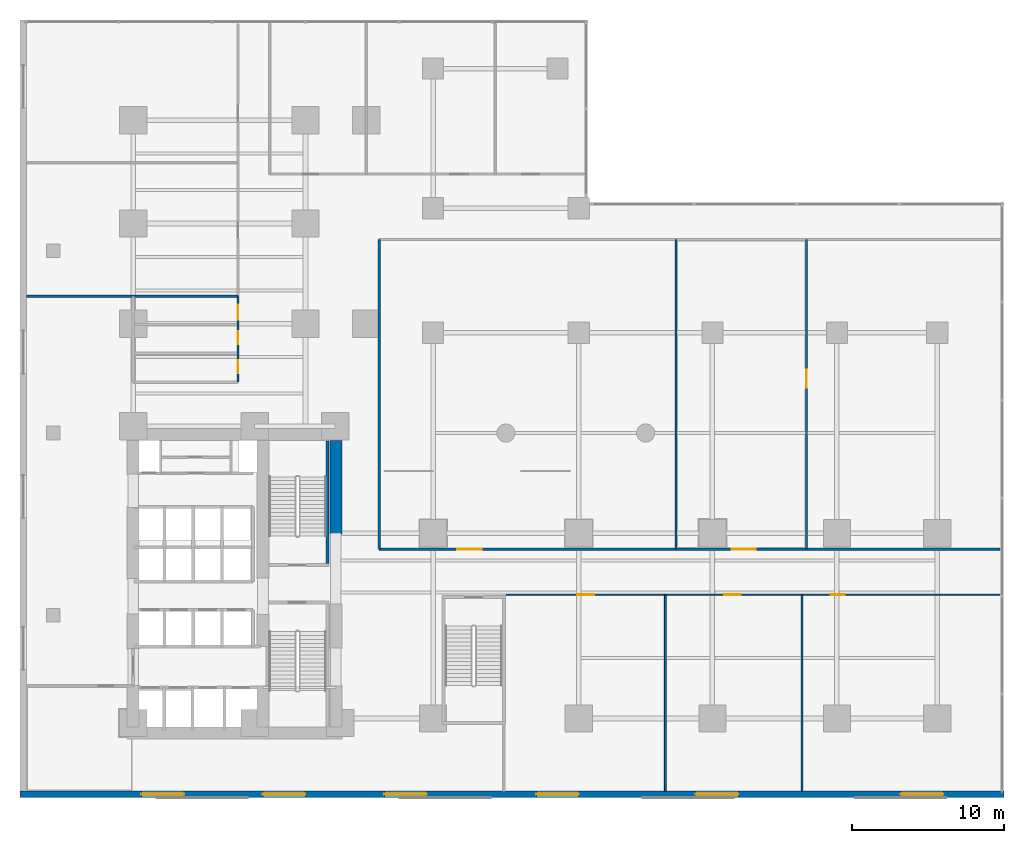
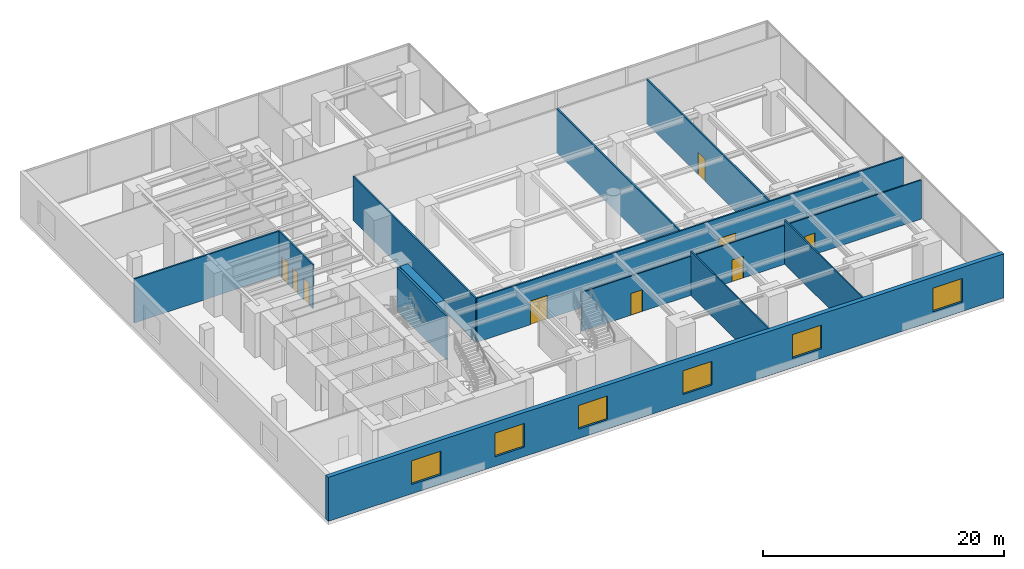
# One storey, part 13 of 16: 12 walls, 9 doors, 6 windows, 15 openings.
"""IFC4 building model written with IfcOpenShell, lengths in metres."""

from ifc_helpers import new_model, si_unit, direction, frame, frame_2d, origin, place, context, subcontext, project, spatial, rectangle, extrude, material, layer, layer_set, type_object, element, fill, save


model = new_model("IFC4")

# Units and contexts
model_context = context("Model", 3, precision=1e-05, world=origin(), true_north=direction((0.0, 1.0)))
body_context = subcontext(model_context, "Body", "Model", "MODEL_VIEW")
ifc_project = project(units=[si_unit("LENGTHUNIT", "METRE"), si_unit("AREAUNIT", "SQUARE_METRE"), si_unit("VOLUMEUNIT", "CUBIC_METRE"), si_unit("PLANEANGLEUNIT", "RADIAN"), si_unit("MASSUNIT", "GRAM", prefix="KILO")], contexts=[model_context])

# Site, building, storey
site_placement = place(None, origin())
site = spatial("IfcSite", under=ifc_project, at=site_placement, CompositionType="ELEMENT")
building_placement = place(site_placement, origin())
building = spatial("IfcBuilding", under=site, at=building_placement, Name="Kolvaren Waterfront Exchange", CompositionType="ELEMENT")
storey_placement = place(building_placement, frame((0.0, 0.0, 20.0)))
storey = spatial("IfcBuildingStorey", under=building, at=storey_placement, Name="L05", CompositionType="ELEMENT", Elevation=20.0)

# Wall, openings, windows
ifc_material_1 = material(Name="Precast concrete C40/50", Category="concrete")
ifc_layer_1 = layer(ifc_material_1, 0.419921875, Name="Precast concrete C40/50")
ifc_layer_set_1 = layer_set([ifc_layer_1], Name="Precast concrete C40/50")
wall_type_1 = type_object("IfcWallType", Name="ARC-EXT-GRANITE-420", PredefinedType="SOLIDWALL", material=ifc_layer_set_1)
wall_1_placement = place(storey_placement, frame((0.0, 0.2099609375, 0.0), z_axis=(0.0, 0.0, 1.0), x_axis=(1.0, 0.0, 0.0)))
wall_1 = element("IfcWall", 1, at=wall_1_placement, inside=storey, type_object=wall_type_1, Name="L05 south granite precast facade wall", PredefinedType="SOLIDWALL", context=body_context, shape_type="SweptSolid", body=[
    extrude(rectangle(XDim=64.800048828125, YDim=0.419921875, at=frame_2d((32.39990234375, 0.0))), origin(), (0.0, 0.0, 1.0), 4.4599609375),
])
opening_1_placement = place(wall_1_placement, frame((8.0, 0.0, 0.949951171875)))
opening_1 = element("IfcOpeningElement", 2, at=opening_1_placement, cuts=wall_1, Name="Opening W05", PredefinedType="OPENING", context=body_context, shape_type="SweptSolid", body=[
    extrude(rectangle(XDim=2.800048828125, YDim=2.39990234375, at=frame_2d((1.39990234375, 1.199951171875))), frame((0.0, 0.219970703125, 0.0), z_axis=(0.0, -1.0, 0.0), x_axis=(1.0, 0.0, 0.0)), (0.0, 0.0, 1.0), 0.43994140625),
])
opening_2_placement = place(wall_1_placement, frame((16.0, 0.0, 0.949951171875)))
opening_2 = element("IfcOpeningElement", 3, at=opening_2_placement, cuts=wall_1, Name="Opening W05", PredefinedType="OPENING", context=body_context, shape_type="SweptSolid", body=[
    extrude(rectangle(XDim=2.800048828125, YDim=2.39990234375, at=frame_2d((1.39990234375, 1.199951171875))), frame((0.0, 0.219970703125, 0.0), z_axis=(0.0, -1.0, 0.0), x_axis=(1.0, 0.0, 0.0)), (0.0, 0.0, 1.0), 0.43994140625),
])
opening_3_placement = place(wall_1_placement, frame((24.0, 0.0, 0.949951171875)))
opening_3 = element("IfcOpeningElement", 4, at=opening_3_placement, cuts=wall_1, Name="Opening W05", PredefinedType="OPENING", context=body_context, shape_type="SweptSolid", body=[
    extrude(rectangle(XDim=2.800048828125, YDim=2.39990234375, at=frame_2d((1.39990234375, 1.199951171875))), frame((0.0, 0.219970703125, 0.0), z_axis=(0.0, -1.0, 0.0), x_axis=(1.0, 0.0, 0.0)), (0.0, 0.0, 1.0), 0.43994140625),
])
opening_4_placement = place(wall_1_placement, frame((34.0, 0.0, 0.949951171875)))
opening_4 = element("IfcOpeningElement", 5, at=opening_4_placement, cuts=wall_1, Name="Opening W05", PredefinedType="OPENING", context=body_context, shape_type="SweptSolid", body=[
    extrude(rectangle(XDim=2.800048828125, YDim=2.39990234375, at=frame_2d((1.39990234375, 1.199951171875))), frame((0.0, 0.219970703125, 0.0), z_axis=(0.0, -1.0, 0.0), x_axis=(1.0, 0.0, 0.0)), (0.0, 0.0, 1.0), 0.43994140625),
])
opening_5_placement = place(wall_1_placement, frame((44.5, 0.0, 0.949951171875)))
opening_5 = element("IfcOpeningElement", 6, at=opening_5_placement, cuts=wall_1, Name="Opening W05", PredefinedType="OPENING", context=body_context, shape_type="SweptSolid", body=[
    extrude(rectangle(XDim=2.800048828125, YDim=2.39990234375, at=frame_2d((1.39990234375, 1.199951171875))), frame((0.0, 0.219970703125, 0.0), z_axis=(0.0, -1.0, 0.0), x_axis=(1.0, 0.0, 0.0)), (0.0, 0.0, 1.0), 0.43994140625),
])
opening_6_placement = place(wall_1_placement, frame((58.0, 0.0, 0.949951171875)))
opening_6 = element("IfcOpeningElement", 7, at=opening_6_placement, cuts=wall_1, Name="Opening W05", PredefinedType="OPENING", context=body_context, shape_type="SweptSolid", body=[
    extrude(rectangle(XDim=2.800048828125, YDim=2.39990234375, at=frame_2d((1.39990234375, 1.199951171875))), frame((0.0, 0.219970703125, 0.0), z_axis=(0.0, -1.0, 0.0), x_axis=(1.0, 0.0, 0.0)), (0.0, 0.0, 1.0), 0.43994140625),
])
ifc_material_2 = material(Name="High-span laminated vision glass", Category="glass")
window_type = type_object("IfcWindowType", Name="ARC-WIN-2800x2400", PartitioningType="SINGLE_PANEL", PredefinedType="WINDOW", material=ifc_material_2)
window_1_placement = place(opening_1_placement, origin())
window_1 = element("IfcWindow", 8, at=window_1_placement, inside=storey, type_object=window_type, Name="L05 south modular window 1", OverallHeight=2.39990234375, OverallWidth=2.800048828125, PartitioningType="SINGLE_PANEL", PredefinedType="WINDOW", context=body_context, shape_type="SweptSolid", body=[
    extrude(rectangle(XDim=2.800048828125, YDim=2.39990234375, at=frame_2d((1.39990234375, 1.199951171875))), frame((0.0, 0.030029296875, 0.0), z_axis=(0.0, -1.0, 0.0), x_axis=(1.0, 0.0, 0.0)), (0.0, 0.0, 1.0), 0.06005859375),
])
fill(opening_1, window_1)
window_2_placement = place(opening_2_placement, origin())
window_2 = element("IfcWindow", 9, at=window_2_placement, inside=storey, type_object=window_type, Name="L05 south modular window 2", OverallHeight=2.39990234375, OverallWidth=2.800048828125, PartitioningType="SINGLE_PANEL", PredefinedType="WINDOW", context=body_context, shape_type="SweptSolid", body=[
    extrude(rectangle(XDim=2.800048828125, YDim=2.39990234375, at=frame_2d((1.39990234375, 1.199951171875))), frame((0.0, 0.030029296875, 0.0), z_axis=(0.0, -1.0, 0.0), x_axis=(1.0, 0.0, 0.0)), (0.0, 0.0, 1.0), 0.06005859375),
])
fill(opening_2, window_2)
window_3_placement = place(opening_3_placement, origin())
window_3 = element("IfcWindow", 10, at=window_3_placement, inside=storey, type_object=window_type, Name="L05 south modular window 3", OverallHeight=2.39990234375, OverallWidth=2.800048828125, PartitioningType="SINGLE_PANEL", PredefinedType="WINDOW", context=body_context, shape_type="SweptSolid", body=[
    extrude(rectangle(XDim=2.800048828125, YDim=2.39990234375, at=frame_2d((1.39990234375, 1.199951171875))), frame((0.0, 0.030029296875, 0.0), z_axis=(0.0, -1.0, 0.0), x_axis=(1.0, 0.0, 0.0)), (0.0, 0.0, 1.0), 0.06005859375),
])
fill(opening_3, window_3)
window_4_placement = place(opening_4_placement, origin())
window_4 = element("IfcWindow", 11, at=window_4_placement, inside=storey, type_object=window_type, Name="L05 south modular window 4", OverallHeight=2.39990234375, OverallWidth=2.800048828125, PartitioningType="SINGLE_PANEL", PredefinedType="WINDOW", context=body_context, shape_type="SweptSolid", body=[
    extrude(rectangle(XDim=2.800048828125, YDim=2.39990234375, at=frame_2d((1.39990234375, 1.199951171875))), frame((0.0, 0.030029296875, 0.0), z_axis=(0.0, -1.0, 0.0), x_axis=(1.0, 0.0, 0.0)), (0.0, 0.0, 1.0), 0.06005859375),
])
fill(opening_4, window_4)
window_5_placement = place(opening_5_placement, origin())
window_5 = element("IfcWindow", 12, at=window_5_placement, inside=storey, type_object=window_type, Name="L05 south modular window 5", OverallHeight=2.39990234375, OverallWidth=2.800048828125, PartitioningType="SINGLE_PANEL", PredefinedType="WINDOW", context=body_context, shape_type="SweptSolid", body=[
    extrude(rectangle(XDim=2.800048828125, YDim=2.39990234375, at=frame_2d((1.39990234375, 1.199951171875))), frame((0.0, 0.030029296875, 0.0), z_axis=(0.0, -1.0, 0.0), x_axis=(1.0, 0.0, 0.0)), (0.0, 0.0, 1.0), 0.06005859375),
])
fill(opening_5, window_5)
window_6_placement = place(opening_6_placement, origin())
window_6 = element("IfcWindow", 13, at=window_6_placement, inside=storey, type_object=window_type, Name="L05 south modular window 6", OverallHeight=2.39990234375, OverallWidth=2.800048828125, PartitioningType="SINGLE_PANEL", PredefinedType="WINDOW", context=body_context, shape_type="SweptSolid", body=[
    extrude(rectangle(XDim=2.800048828125, YDim=2.39990234375, at=frame_2d((1.39990234375, 1.199951171875))), frame((0.0, 0.030029296875, 0.0), z_axis=(0.0, -1.0, 0.0), x_axis=(1.0, 0.0, 0.0)), (0.0, 0.0, 1.0), 0.06005859375),
])
fill(opening_6, window_6)

# Wall, openings, doors
ifc_material_3 = material(Name="Acoustic gypsum steel stud", Category="steel")
ifc_layer_2 = layer(ifc_material_3, 0.125, Name="Acoustic gypsum steel stud")
ifc_layer_set_2 = layer_set([ifc_layer_2], Name="Acoustic gypsum steel stud")
wall_type_2 = type_object("IfcWallType", Name="ARC-PART-125", PredefinedType="PARTITIONING", material=ifc_layer_set_2)
wall_2_placement = place(storey_placement, frame((32.0, 13.35009765625, 0.0), z_axis=(0.0, 0.0, 1.0), x_axis=(1.0, 0.0, 0.0)))
wall_2 = element("IfcWall", 14, at=wall_2_placement, inside=storey, type_object=wall_type_2, Name="L05 interior wall PW-L05-POD-SE-N", PredefinedType="PARTITIONING", context=body_context, shape_type="SweptSolid", body=[
    extrude(rectangle(XDim=32.550048828125, YDim=0.125, at=frame_2d((16.27490234375, 0.0))), origin(), (0.0, 0.0, 1.0), 3.9599609375),
])
opening_7_placement = place(wall_2_placement, frame((4.699951171875, 0.0, 0.0)))
opening_7 = element("IfcOpeningElement", 15, at=opening_7_placement, cuts=wall_2, Name="Opening D04", PredefinedType="OPENING", context=body_context, shape_type="SweptSolid", body=[
    extrude(rectangle(XDim=1.10009765625, YDim=2.199951171875, at=frame_2d((0.550048828125, 1.10009765625))), frame((0.0, 0.072509765625, 0.0), z_axis=(0.0, -1.0, 0.0), x_axis=(1.0, 0.0, 0.0)), (0.0, 0.0, 1.0), 0.14501953125),
])
opening_8_placement = place(wall_2_placement, frame((14.378662109375, 0.0, 0.0)))
opening_8 = element("IfcOpeningElement", 16, at=opening_8_placement, cuts=wall_2, Name="Opening D04", PredefinedType="OPENING", context=body_context, shape_type="SweptSolid", body=[
    extrude(rectangle(XDim=1.10009765625, YDim=2.199951171875, at=frame_2d((0.550048828125, 1.10009765625))), frame((0.0, 0.072509765625, 0.0), z_axis=(0.0, -1.0, 0.0), x_axis=(1.0, 0.0, 0.0)), (0.0, 0.0, 1.0), 0.14501953125),
])
opening_9_placement = place(wall_2_placement, frame((21.375, 0.0, 0.0)))
opening_9 = element("IfcOpeningElement", 17, at=opening_9_placement, cuts=wall_2, Name="Opening D02", PredefinedType="OPENING", context=body_context, shape_type="SweptSolid", body=[
    extrude(rectangle(XDim=0.949951171875, YDim=2.14990234375, at=frame_2d((0.47509765625, 1.074951171875))), frame((0.0, 0.072509765625, 0.0), z_axis=(0.0, -1.0, 0.0), x_axis=(1.0, 0.0, 0.0)), (0.0, 0.0, 1.0), 0.14501953125),
])
ifc_material_4 = material(Name="Anodised bronze framed glass", Category="aluminium")
door_type_1 = type_object("IfcDoorType", Name="ARC-DR-1100", OperationType="NOTDEFINED", PredefinedType="DOOR", material=ifc_material_4)
door_1_placement = place(opening_7_placement, origin())
door_1 = element("IfcDoor", 18, at=door_1_placement, inside=storey, type_object=door_type_1, Name="L05 door DR-L05-PCONF1-D (D04)", OperationType="SINGLE_SWING_LEFT", OverallHeight=2.199951171875, OverallWidth=1.10009765625, PredefinedType="DOOR", context=body_context, shape_type="SweptSolid", body=[
    extrude(rectangle(XDim=1.10009765625, YDim=2.199951171875, at=frame_2d((0.550048828125, 1.10009765625))), frame((0.0, 0.02490234375, 0.0), z_axis=(0.0, -1.0, 0.0), x_axis=(1.0, 0.0, 0.0)), (0.0, 0.0, 1.0), 0.050048828125),
])
fill(opening_7, door_1)
door_2_placement = place(opening_8_placement, origin())
door_2 = element("IfcDoor", 19, at=door_2_placement, inside=storey, type_object=door_type_1, Name="L05 door DR-L05-PCONF2-D (D04)", OperationType="SINGLE_SWING_RIGHT", OverallHeight=2.199951171875, OverallWidth=1.10009765625, PredefinedType="DOOR", context=body_context, shape_type="SweptSolid", body=[
    extrude(rectangle(XDim=1.10009765625, YDim=2.199951171875, at=frame_2d((0.550048828125, 1.10009765625))), frame((0.0, 0.02490234375, 0.0), z_axis=(0.0, -1.0, 0.0), x_axis=(1.0, 0.0, 0.0)), (0.0, 0.0, 1.0), 0.050048828125),
])
fill(opening_8, door_2)
ifc_material_5 = material(Name="Oak veneer acoustic timber", Category="wood")
door_type_2 = type_object("IfcDoorType", Name="ARC-DR-950", OperationType="NOTDEFINED", PredefinedType="DOOR", material=ifc_material_5)
door_3_placement = place(opening_9_placement, origin())
door_3 = element("IfcDoor", 20, at=door_3_placement, inside=storey, type_object=door_type_2, Name="L05 door DR-L05-PPANT-D (D02)", OperationType="SINGLE_SWING_LEFT", OverallHeight=2.14990234375, OverallWidth=0.949951171875, PredefinedType="DOOR", context=body_context, shape_type="SweptSolid", body=[
    extrude(rectangle(XDim=0.949951171875, YDim=2.14990234375, at=frame_2d((0.47509765625, 1.074951171875))), frame((0.0, 0.02490234375, 0.0), z_axis=(0.0, -1.0, 0.0), x_axis=(1.0, 0.0, 0.0)), (0.0, 0.0, 1.0), 0.050048828125),
])
fill(opening_9, door_3)

# Walls
for number, where, z_axis, x_axis, name in (
    (21, (42.5, 0.419921875, 0.0), (0.0, 0.0, 1.0), (0.0, 1.0, 0.0), "L05 interior wall PW-L05-POD-SE-M1"),
    (22, (51.5, 0.419921875, 0.0), (0.0, 0.0, 1.0), (0.0, 1.0, 0.0), "L05 interior wall PW-L05-POD-SE-M2"),
):
    element("IfcWall", number, at=place(storey_placement, frame(where, z_axis=z_axis, x_axis=x_axis)), inside=storey, type_object=wall_type_2, Name=name, PredefinedType="PARTITIONING", context=body_context, shape_type="SweptSolid", body=[
        extrude(rectangle(XDim=12.93017578125, YDim=0.125, at=frame_2d((6.465087890625, 0.0))), origin(), (0.0, 0.0, 1.0), 4.4599609375),
    ])

# Wall, openings, doors
ifc_material_6 = material(Name="Gypsum fireboard steel stud", Category="steel")
ifc_layer_3 = layer(ifc_material_6, 0.14990234375, Name="Gypsum fireboard steel stud")
ifc_layer_set_3 = layer_set([ifc_layer_3], Name="Gypsum fireboard steel stud")
wall_type_3 = type_object("IfcWallType", Name="ARC-PART-150", PredefinedType="PARTITIONING", material=ifc_layer_set_3)
wall_3_placement = place(storey_placement, frame((23.64990234375, 16.35009765625, 0.0), z_axis=(0.0, 0.0, 1.0), x_axis=(1.0, 0.0, 0.0)))
wall_3 = element("IfcWall", 23, at=wall_3_placement, inside=storey, type_object=wall_type_3, Name="L05 interior wall PW-L05-POD-HALL-S", PredefinedType="PARTITIONING", context=body_context, shape_type="SweptSolid", body=[
    extrude(rectangle(XDim=40.900146484375, YDim=0.14990234375, at=frame_2d((20.4501953125, 0.0))), origin(), (0.0, 0.0, 1.0), 4.4599609375),
])
opening_10_placement = place(wall_3_placement, frame((5.14990234375, 0.0, 0.0)))
opening_10 = element("IfcOpeningElement", 24, at=opening_10_placement, cuts=wall_3, Name="Opening D07", PredefinedType="OPENING", context=body_context, shape_type="SweptSolid", body=[
    extrude(rectangle(XDim=1.60009765625, YDim=2.39990234375, at=frame_2d((0.800048828125, 1.199951171875))), frame((0.0, 0.0849609375, 0.0), z_axis=(0.0, -1.0, 0.0), x_axis=(1.0, 0.0, 0.0)), (0.0, 0.0, 1.0), 0.169921875),
])
opening_11_placement = place(wall_3_placement, frame((23.21484375, 0.0, 0.0)))
opening_11 = element("IfcOpeningElement", 25, at=opening_11_placement, cuts=wall_3, Name="Opening D07", PredefinedType="OPENING", context=body_context, shape_type="SweptSolid", body=[
    extrude(rectangle(XDim=1.60009765625, YDim=2.39990234375, at=frame_2d((0.800048828125, 1.199951171875))), frame((0.0, 0.0849609375, 0.0), z_axis=(0.0, -1.0, 0.0), x_axis=(1.0, 0.0, 0.0)), (0.0, 0.0, 1.0), 0.169921875),
])
ifc_material_7 = material(Name="Anodised bronze double leaf", Category="aluminium")
door_type_3 = type_object("IfcDoorType", Name="ARC-DR-1600", OperationType="NOTDEFINED", PredefinedType="DOOR", material=ifc_material_7)
door_4_placement = place(opening_10_placement, origin())
door_4 = element("IfcDoor", 26, at=door_4_placement, inside=storey, type_object=door_type_3, Name="L05 door DR-L05-PM1-D (D07)", OperationType="SINGLE_SWING_RIGHT", OverallHeight=2.39990234375, OverallWidth=1.60009765625, PredefinedType="DOOR", context=body_context, shape_type="SweptSolid", body=[
    extrude(rectangle(XDim=1.60009765625, YDim=2.39990234375, at=frame_2d((0.800048828125, 1.199951171875))), frame((0.0, 0.02490234375, 0.0), z_axis=(0.0, -1.0, 0.0), x_axis=(1.0, 0.0, 0.0)), (0.0, 0.0, 1.0), 0.050048828125),
])
fill(opening_10, door_4)
door_5_placement = place(opening_11_placement, origin())
door_5 = element("IfcDoor", 27, at=door_5_placement, inside=storey, type_object=door_type_3, Name="L05 door DR-L05-PM2-D (D07)", OperationType="SINGLE_SWING_LEFT", OverallHeight=2.39990234375, OverallWidth=1.60009765625, PredefinedType="DOOR", context=body_context, shape_type="SweptSolid", body=[
    extrude(rectangle(XDim=1.60009765625, YDim=2.39990234375, at=frame_2d((0.800048828125, 1.199951171875))), frame((0.0, 0.02490234375, 0.0), z_axis=(0.0, -1.0, 0.0), x_axis=(1.0, 0.0, 0.0)), (0.0, 0.0, 1.0), 0.050048828125),
])
fill(opening_11, door_5)

# Walls
for number, where, z_axis, x_axis, name in (
    (28, (23.64990234375, 16.35009765625, 0.0), (0.0, 0.0, 1.0), (0.0, 1.0, 0.0), "L05 interior wall PW-L05-POD-HALL-W"),
    (29, (43.199951171875, 16.35009765625, 0.0), (0.0, 0.0, 1.0), (0.0, 1.0, 0.0), "L05 interior wall PW-L05-POD-HALL-MID"),
):
    element("IfcWall", number, at=place(storey_placement, frame(where, z_axis=z_axis, x_axis=x_axis)), inside=storey, type_object=wall_type_3, Name=name, PredefinedType="PARTITIONING", context=body_context, shape_type="SweptSolid", body=[
        extrude(rectangle(XDim=20.39990234375, YDim=0.14990234375, at=frame_2d((10.199951171875, 0.0))), origin(), (0.0, 0.0, 1.0), 4.4599609375),
    ])

# Wall, opening, door
wall_4_placement = place(storey_placement, frame((51.800048828125, 16.35009765625, 0.0), z_axis=(0.0, 0.0, 1.0), x_axis=(0.0, 1.0, 0.0)))
wall_4 = element("IfcWall", 30, at=wall_4_placement, inside=storey, type_object=wall_type_3, Name="L05 interior wall PW-L05-POD-HALL-MID2", PredefinedType="PARTITIONING", context=body_context, shape_type="SweptSolid", body=[
    extrude(rectangle(XDim=20.39990234375, YDim=0.14990234375, at=frame_2d((10.199951171875, 0.0))), origin(), (0.0, 0.0, 1.0), 4.4599609375),
])
opening_12_placement = place(wall_4_placement, frame((10.62646484375, 0.0, 0.0)))
opening_12 = element("IfcOpeningElement", 31, at=opening_12_placement, cuts=wall_4, Name="Opening D05", PredefinedType="OPENING", context=body_context, shape_type="SweptSolid", body=[
    extrude(rectangle(XDim=1.199951171875, YDim=2.25, at=frame_2d((0.60009765625, 1.125))), frame((0.0, 0.0849609375, 0.0), z_axis=(0.0, -1.0, 0.0), x_axis=(1.0, 0.0, 0.0)), (0.0, 0.0, 1.0), 0.169921875),
])
door_type_4 = type_object("IfcDoorType", Name="ARC-DR-1200", OperationType="NOTDEFINED", PredefinedType="DOOR", material=ifc_material_4)
door_6_placement = place(opening_12_placement, origin())
door_6 = element("IfcDoor", 32, at=door_6_placement, inside=storey, type_object=door_type_4, Name="L05 door DR-L05-PM3-D (D05)", OperationType="SINGLE_SWING_RIGHT", OverallHeight=2.25, OverallWidth=1.199951171875, PredefinedType="DOOR", context=body_context, shape_type="SweptSolid", body=[
    extrude(rectangle(XDim=1.199951171875, YDim=2.25, at=frame_2d((0.60009765625, 1.125))), frame((0.0, 0.02490234375, 0.0), z_axis=(0.0, -1.0, 0.0), x_axis=(1.0, 0.0, 0.0)), (0.0, 0.0, 1.0), 0.050048828125),
])
fill(opening_12, door_6)

# Wall, openings, doors
ifc_material_8 = material(Name="Moisture-resistant gypsum stud")
ifc_layer_4 = layer(ifc_material_8, 0.14990234375, Name="Moisture-resistant gypsum stud")
ifc_layer_set_4 = layer_set([ifc_layer_4], Name="Moisture-resistant gypsum stud")
wall_type_4 = type_object("IfcWallType", Name="ARC-PLUMB-150", PredefinedType="PLUMBINGWALL", material=ifc_layer_set_4)
wall_5_placement = place(storey_placement, frame((14.35009765625, 27.35009765625, 0.0), z_axis=(0.0, 0.0, 1.0), x_axis=(0.0, 1.0, 0.0)))
wall_5 = element("IfcWall", 33, at=wall_5_placement, inside=storey, type_object=wall_type_4, Name="L05 interior wall PW-L05-WC-E", PredefinedType="PLUMBINGWALL", context=body_context, shape_type="SweptSolid", body=[
    extrude(rectangle(XDim=5.64990234375, YDim=0.14990234375, at=frame_2d((2.824951171875, 0.0))), origin(), (0.0, 0.0, 1.0), 4.4599609375),
])
opening_13_placement = place(wall_5_placement, frame((0.60009765625, 0.0, 0.0)))
opening_13 = element("IfcOpeningElement", 34, at=opening_13_placement, cuts=wall_5, Name="Opening D01", PredefinedType="OPENING", context=body_context, shape_type="SweptSolid", body=[
    extrude(rectangle(XDim=0.85009765625, YDim=2.14990234375, at=frame_2d((0.425048828125, 1.074951171875))), frame((0.0, 0.0849609375, 0.0), z_axis=(0.0, -1.0, 0.0), x_axis=(1.0, 0.0, 0.0)), (0.0, 0.0, 1.0), 0.169921875),
])
opening_14_placement = place(wall_5_placement, frame((2.5, 0.0, 0.0)))
opening_14 = element("IfcOpeningElement", 35, at=opening_14_placement, cuts=wall_5, Name="Opening D01", PredefinedType="OPENING", context=body_context, shape_type="SweptSolid", body=[
    extrude(rectangle(XDim=0.85009765625, YDim=2.14990234375, at=frame_2d((0.425048828125, 1.074951171875))), frame((0.0, 0.0849609375, 0.0), z_axis=(0.0, -1.0, 0.0), x_axis=(1.0, 0.0, 0.0)), (0.0, 0.0, 1.0), 0.169921875),
])
opening_15_placement = place(wall_5_placement, frame((4.10009765625, 0.0, 0.0)))
opening_15 = element("IfcOpeningElement", 36, at=opening_15_placement, cuts=wall_5, Name="Opening D03", PredefinedType="OPENING", context=body_context, shape_type="SweptSolid", body=[
    extrude(rectangle(XDim=1.0, YDim=2.199951171875, at=frame_2d((0.5, 1.10009765625))), frame((0.0, 0.0849609375, 0.0), z_axis=(0.0, -1.0, 0.0), x_axis=(1.0, 0.0, 0.0)), (0.0, 0.0, 1.0), 0.169921875),
])
ifc_material_9 = material(Name="Oak veneer accessible timber", Category="wood")
door_type_5 = type_object("IfcDoorType", Name="ARC-DR-1000", OperationType="NOTDEFINED", PredefinedType="DOOR", material=ifc_material_9)
door_7_placement = place(opening_15_placement, origin())
door_7 = element("IfcDoor", 37, at=door_7_placement, inside=storey, type_object=door_type_5, Name="L05 door DR-L05-WCA-D (D03)", OperationType="SINGLE_SWING_RIGHT", OverallHeight=2.199951171875, OverallWidth=1.0, PredefinedType="DOOR", context=body_context, shape_type="SweptSolid", body=[
    extrude(rectangle(XDim=1.0, YDim=2.199951171875, at=frame_2d((0.5, 1.10009765625))), frame((0.0, 0.02490234375, 0.0), z_axis=(0.0, -1.0, 0.0), x_axis=(1.0, 0.0, 0.0)), (0.0, 0.0, 1.0), 0.050048828125),
])
fill(opening_15, door_7)
ifc_material_10 = material(Name="Oak veneer timber leaf", Category="wood")
door_type_6 = type_object("IfcDoorType", Name="ARC-DR-900", OperationType="NOTDEFINED", PredefinedType="DOOR", material=ifc_material_10)
door_8_placement = place(opening_13_placement, origin())
door_8 = element("IfcDoor", 38, at=door_8_placement, inside=storey, type_object=door_type_6, Name="L05 door DR-L05-WCM-D (D01)", OperationType="SINGLE_SWING_RIGHT", OverallHeight=2.14990234375, OverallWidth=0.85009765625, PredefinedType="DOOR", context=body_context, shape_type="SweptSolid", body=[
    extrude(rectangle(XDim=0.85009765625, YDim=2.14990234375, at=frame_2d((0.425048828125, 1.074951171875))), frame((0.0, 0.02490234375, 0.0), z_axis=(0.0, -1.0, 0.0), x_axis=(1.0, 0.0, 0.0)), (0.0, 0.0, 1.0), 0.050048828125),
])
fill(opening_13, door_8)
door_9_placement = place(opening_14_placement, origin())
door_9 = element("IfcDoor", 39, at=door_9_placement, inside=storey, type_object=door_type_6, Name="L05 door DR-L05-WCF-D (D01)", OperationType="SINGLE_SWING_LEFT", OverallHeight=2.14990234375, OverallWidth=0.85009765625, PredefinedType="DOOR", context=body_context, shape_type="SweptSolid", body=[
    extrude(rectangle(XDim=0.85009765625, YDim=2.14990234375, at=frame_2d((0.425048828125, 1.074951171875))), frame((0.0, 0.02490234375, 0.0), z_axis=(0.0, -1.0, 0.0), x_axis=(1.0, 0.0, 0.0)), (0.0, 0.0, 1.0), 0.050048828125),
])
fill(opening_14, door_9)

# Walls
wall_6_placement = place(storey_placement, frame((0.419921875, 33.0, 0.0), z_axis=(0.0, 0.0, 1.0), x_axis=(1.0, 0.0, 0.0)))
element("IfcWall", 40, at=wall_6_placement, inside=storey, type_object=wall_type_4, Name="L05 interior wall PW-L05-WC-N3", PredefinedType="PLUMBINGWALL", context=body_context, shape_type="SweptSolid", body=[
    extrude(rectangle(XDim=13.93017578125, YDim=0.14990234375, at=frame_2d((6.965087890625, 0.0))), origin(), (0.0, 0.0, 1.0), 4.4599609375),
])
ifc_material_11 = material(Name="Concrete C40/50", Category="concrete")
ifc_layer_5 = layer(ifc_material_11, 0.199951171875, Name="Concrete C40/50")
ifc_layer_set_5 = layer_set([ifc_layer_5], Name="Concrete C40/50")
wall_type_5 = type_object("IfcWallType", Name="ARC-SHAFT-200", PredefinedType="PARTITIONING", material=ifc_layer_set_5)
wall_7_placement = place(storey_placement, frame((20.260009765625, 15.39990234375, 0.0), z_axis=(0.0, 0.0, 1.0), x_axis=(0.0, 1.0, 0.0)))
element("IfcWall", 41, at=wall_7_placement, inside=storey, type_object=wall_type_5, Name="L05 structural stairwell wall PW-L05-ST2-E", PredefinedType="SHEAR", context=body_context, shape_type="SweptSolid", body=[
    extrude(rectangle(XDim=8.090087890625, YDim=0.199951171875, at=frame_2d((4.044921875, 0.0))), origin(), (0.0, 0.0, 1.0), 4.4599609375),
])
ifc_material_12 = material(Name="Concrete C70/85", Category="concrete")
ifc_layer_6 = layer(ifc_material_12, 0.800048828125, Name="Concrete C70/85")
ifc_layer_set_6 = layer_set([ifc_layer_6], Name="Concrete C70/85")
wall_type_6 = type_object("IfcWallType", Name="STR-CWALL-800", PredefinedType="SHEAR", material=ifc_layer_set_6)
wall_8_placement = place(storey_placement, frame((20.800048828125, 17.35009765625, 0.0), z_axis=(0.0, 0.0, 1.0), x_axis=(0.0, 1.0, 0.0)))
element("IfcWall", 42, at=wall_8_placement, inside=storey, type_object=wall_type_6, Name="L05 rear-core shear wall E3", PredefinedType="SHEAR", context=body_context, shape_type="SweptSolid", body=[
    extrude(rectangle(XDim=6.14990234375, YDim=0.800048828125, at=frame_2d((3.074951171875, 0.0))), origin(), (0.0, 0.0, 1.0), 4.4599609375),
])

save(model, "model.ifc")
